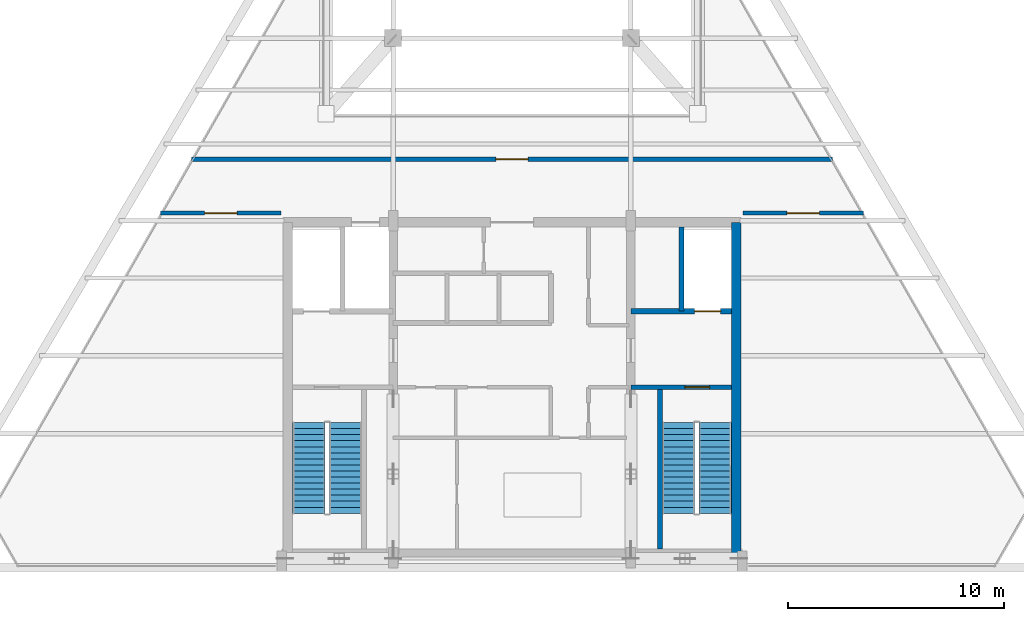
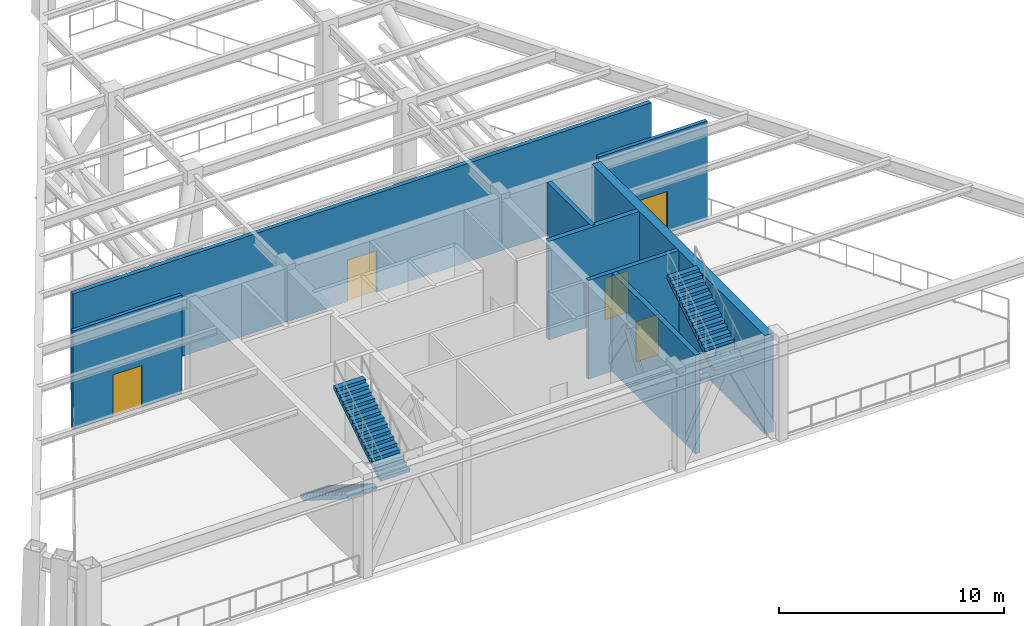
# One storey, part 4 of 6: 8 walls, 5 doors, 4 stair flights, 5 openings, 2 elements without a shape of their own.
"""IFC4 building model written with IfcOpenShell, lengths in metres."""

from ifc_helpers import new_model, si_unit, direction, frame, frame_2d, origin, place, context, subcontext, project, spatial, polyline, rectangle, outline, extrude, source, transform, mapped, material, layer, layer_set, type_object, type_shapes, element, fill, aggregate, save


model = new_model("IFC4")

# Units and contexts
model_context = context("Model", 3, precision=1e-05, world=origin(), true_north=direction((0.0, 1.0)))
body_context = subcontext(model_context, "Body", "Model", "MODEL_VIEW")
ifc_project = project(units=[si_unit("LENGTHUNIT", "METRE"), si_unit("AREAUNIT", "SQUARE_METRE"), si_unit("VOLUMEUNIT", "CUBIC_METRE"), si_unit("PLANEANGLEUNIT", "RADIAN"), si_unit("MASSUNIT", "GRAM", prefix="KILO")], contexts=[model_context])

# Site, building, storey
site_placement = place(None, origin())
site = spatial("IfcSite", under=ifc_project, at=site_placement, CompositionType="ELEMENT")
building_placement = place(site_placement, origin())
building = spatial("IfcBuilding", under=site, at=building_placement, Name="Varnakhor Terracotta Tower", CompositionType="ELEMENT")
storey_placement = place(building_placement, frame((0.0, 0.0, 304.050048828125)))
storey = spatial("IfcBuildingStorey", under=building, at=storey_placement, Name="L80", CompositionType="ELEMENT", Elevation=304.050048828125)

# Wall
ifc_material_1 = material(Name="Concrete C50/60", Category="concrete")
ifc_layer_1 = layer(ifc_material_1, 0.449951171875, Name="Concrete C50/60")
ifc_layer_set_1 = layer_set([ifc_layer_1], Name="Concrete C50/60")
wall_type_1 = type_object("IfcWallType", Name="WAL-CORE-450", PredefinedType="SHEAR", material=ifc_layer_set_1)
wall_1_placement = place(storey_placement, frame((10.375, 0.625, 0.0), z_axis=(0.0, 0.0, 1.0), x_axis=(0.0, 1.0, 0.0)))
element("IfcWall", 1, at=wall_1_placement, inside=storey, type_object=wall_type_1, Name="L80 East Core Shear Wall", PredefinedType="SHEAR", context=body_context, shape_type="SweptSolid", body=[
    extrude(rectangle(XDim=15.35009765625, YDim=0.449951171875, at=frame_2d((7.675048828125, 0.0))), origin(), (0.0, 0.0, 1.0), 5.349853515625),
])

# Wall, opening, door
ifc_material_2 = material(Name="Fire-Rated Gypsum Stud Partition", Category="gypsum")
ifc_layer_2 = layer(ifc_material_2, 0.18505859375, Name="Fire-Rated Gypsum Stud Partition")
ifc_layer_set_2 = layer_set([ifc_layer_2], Name="Fire-Rated Gypsum Stud Partition")
wall_type_2 = type_object("IfcWallType", Name="WAL-CORR-185", PredefinedType="PARTITIONING", material=ifc_layer_set_2)
wall_2_placement = place(storey_placement, frame((-16.26171875, 16.39990234375, 0.0), z_axis=(0.0, 0.0, 1.0), x_axis=(1.0, 0.0, 0.0)))
wall_2 = element("IfcWall", 2, at=wall_2_placement, inside=storey, type_object=wall_type_2, Name="L80 West Plant Wall", PredefinedType="PARTITIONING", context=body_context, shape_type="SweptSolid", body=[
    extrude(rectangle(XDim=5.581787109375, YDim=0.18505859375, at=frame_2d((2.791015625, 0.0))), origin(), (0.0, 0.0, 1.0), 5.342041015625),
])
opening_1_placement = place(wall_2_placement, frame((2.041015625, 0.0, 0.0)))
opening_1 = element("IfcOpeningElement", 3, at=opening_1_placement, cuts=wall_2, Name="Opening DR-30", PredefinedType="OPENING", context=body_context, shape_type="SweptSolid", body=[
    extrude(rectangle(XDim=1.5, YDim=2.25, at=frame_2d((0.75, 1.125))), frame((0.0, 0.1025390625, 0.0), z_axis=(0.0, -1.0, 0.0), x_axis=(1.0, 0.0, 0.0)), (0.0, 0.0, 1.0), 0.205078125),
])
ifc_material_3 = material(Name="Double Acoustic Conference Room Door", Category="wood")
door_type_1 = type_object("IfcDoorType", Name="DR-MEET-1500X2250", OperationType="NOTDEFINED", PredefinedType="DOOR", material=ifc_material_3)
shared_shape_1 = source(origin(), body_context, "Body", "SweptSolid", [
    extrude(rectangle(XDim=1.5, YDim=2.25, at=frame_2d((0.75, 1.125))), frame((0.0, 0.02490234375, 0.0), z_axis=(0.0, -1.0, 0.0), x_axis=(1.0, 0.0, 0.0)), (0.0, 0.0, 1.0), 0.050048828125),
])
type_shapes(door_type_1, [shared_shape_1])
door_1_placement = place(opening_1_placement, origin())
door_1 = element("IfcDoor", 4, at=door_1_placement, inside=storey, type_object=door_type_1, Name="L80 West Mechanical Room Door", OperationType="DOUBLE_DOOR_SINGLE_SWING", OverallHeight=2.25, OverallWidth=1.5, PredefinedType="DOOR", context=body_context, shape_type="MappedRepresentation", body=[
    mapped(shared_shape_1, transform((0.0, 0.0, 0.0), scale=1.0)),
])
fill(opening_1, door_1)

wall_3_placement = place(storey_placement, frame((10.679931640625, 16.39990234375, 0.0), z_axis=(0.0, 0.0, 1.0), x_axis=(1.0, 0.0, 0.0)))
wall_3 = element("IfcWall", 5, at=wall_3_placement, inside=storey, type_object=wall_type_2, Name="L80 East Plant Wall", PredefinedType="PARTITIONING", context=body_context, shape_type="SweptSolid", body=[
    extrude(rectangle(XDim=5.581787109375, YDim=0.18505859375, at=frame_2d((2.791015625, 0.0))), origin(), (0.0, 0.0, 1.0), 5.342041015625),
])
opening_2_placement = place(wall_3_placement, frame((2.040771484375, 0.0, 0.0)))
opening_2 = element("IfcOpeningElement", 6, at=opening_2_placement, cuts=wall_3, Name="Opening DR-30", PredefinedType="OPENING", context=body_context, shape_type="SweptSolid", body=[
    extrude(rectangle(XDim=1.5, YDim=2.25, at=frame_2d((0.75, 1.125))), frame((0.0, 0.1025390625, 0.0), z_axis=(0.0, -1.0, 0.0), x_axis=(1.0, 0.0, 0.0)), (0.0, 0.0, 1.0), 0.205078125),
])
door_2_placement = place(opening_2_placement, origin())
door_2 = element("IfcDoor", 7, at=door_2_placement, inside=storey, type_object=door_type_1, Name="L80 East Electrical Room Door", OperationType="DOUBLE_DOOR_SINGLE_SWING", OverallHeight=2.25, OverallWidth=1.5, PredefinedType="DOOR", context=body_context, shape_type="MappedRepresentation", body=[
    mapped(shared_shape_1, transform((0.0, 0.0, 0.0), scale=1.0)),
])
fill(opening_2, door_2)

ifc_material_4 = material(Name="Concrete C40/50", Category="concrete")
ifc_layer_3 = layer(ifc_material_4, 0.219970703125, Name="Concrete C40/50")
ifc_layer_set_3 = layer_set([ifc_layer_3], Name="Concrete C40/50")
wall_type_3 = type_object("IfcWallType", Name="WAL-FFLOBBY-220", PredefinedType="SOLIDWALL", material=ifc_layer_set_3)
wall_4_placement = place(storey_placement, frame((10.14990234375, 8.35009765625, 0.0), z_axis=(0.0, 0.0, 1.0), x_axis=(-1.0, 0.0, 0.0)))
wall_4 = element("IfcWall", 8, at=wall_4_placement, inside=storey, type_object=wall_type_3, Name="L80 East Firefighting Lobby Stair Wall", PredefinedType="SOLIDWALL", context=body_context, shape_type="SweptSolid", body=[
    extrude(rectangle(XDim=4.64990234375, YDim=0.219970703125, at=frame_2d((2.324951171875, 0.0))), origin(), (0.0, 0.0, 1.0), 5.349853515625),
])
opening_3_placement = place(wall_4_placement, frame((1.0, 0.0, 0.0)))
opening_3 = element("IfcOpeningElement", 9, at=opening_3_placement, cuts=wall_4, Name="Opening DR-34", PredefinedType="OPENING", context=body_context, shape_type="SweptSolid", body=[
    extrude(rectangle(XDim=1.14990234375, YDim=2.199951171875, at=frame_2d((0.574951171875, 1.10009765625))), frame((0.0, 0.1201171875, 0.0), z_axis=(0.0, -1.0, 0.0), x_axis=(1.0, 0.0, 0.0)), (0.0, 0.0, 1.0), 0.239990234375),
])
ifc_material_5 = material(Name="Self-Closing Smoke-Sealed Steel Fire Door", Category="steel")
door_type_2 = type_object("IfcDoorType", Name="DR-STAIR-1150X2200", OperationType="NOTDEFINED", PredefinedType="DOOR", material=ifc_material_5)
shared_shape_2 = source(origin(), body_context, "Body", "SweptSolid", [
    extrude(rectangle(XDim=1.14990234375, YDim=2.199951171875, at=frame_2d((0.574951171875, 1.10009765625))), frame((0.0, 0.02490234375, 0.0), z_axis=(0.0, -1.0, 0.0), x_axis=(1.0, 0.0, 0.0)), (0.0, 0.0, 1.0), 0.050048828125),
])
type_shapes(door_type_2, [shared_shape_2])
door_3_placement = place(opening_3_placement, origin())
door_3 = element("IfcDoor", 10, at=door_3_placement, inside=storey, type_object=door_type_2, Name="L80 Exit Stair ST-2 Fire Door", OperationType="SINGLE_SWING_LEFT", OverallHeight=2.199951171875, OverallWidth=1.14990234375, PredefinedType="DOOR", context=body_context, shape_type="MappedRepresentation", body=[
    mapped(shared_shape_2, transform((0.0, 0.0, 0.0), scale=1.0)),
])
fill(opening_3, door_3)

wall_5_placement = place(storey_placement, frame((-14.834716796875, 18.89990234375, 0.0), z_axis=(0.0, 0.0, 1.0), x_axis=(1.0, 0.0, 0.0)))
wall_5 = element("IfcWall", 11, at=wall_5_placement, inside=storey, type_object=wall_type_3, Name="L80 Plant Corridor Wall", PredefinedType="SOLIDWALL", context=body_context, shape_type="SweptSolid", body=[
    extrude(rectangle(XDim=29.66943359375, YDim=0.219970703125, at=frame_2d((14.834716796875, 0.0))), origin(), (0.0, 0.0, 1.0), 5.342041015625),
])
opening_4_placement = place(wall_5_placement, frame((14.084716796875, 0.0, 0.0)))
opening_4 = element("IfcOpeningElement", 12, at=opening_4_placement, cuts=wall_5, Name="Opening DR-30", PredefinedType="OPENING", context=body_context, shape_type="SweptSolid", body=[
    extrude(rectangle(XDim=1.5, YDim=2.25, at=frame_2d((0.75, 1.125))), frame((0.0, 0.1201171875, 0.0), z_axis=(0.0, -1.0, 0.0), x_axis=(1.0, 0.0, 0.0)), (0.0, 0.0, 1.0), 0.239990234375),
])
door_4_placement = place(opening_4_placement, origin())
door_4 = element("IfcDoor", 13, at=door_4_placement, inside=storey, type_object=door_type_1, Name="L80 North Plant Access Door", OperationType="DOUBLE_DOOR_SINGLE_SWING", OverallHeight=2.25, OverallWidth=1.5, PredefinedType="DOOR", context=body_context, shape_type="MappedRepresentation", body=[
    mapped(shared_shape_1, transform((0.0, 0.0, 0.0), scale=1.0)),
])
fill(opening_4, door_4)

# Walls
ifc_layer_4 = layer(ifc_material_4, 0.219970703125, Name="Concrete C40/50")
ifc_layer_set_4 = layer_set([ifc_layer_4], Name="Concrete C40/50")
wall_type_4 = type_object("IfcWallType", Name="WAL-SHAFT-220", PredefinedType="SOLIDWALL", material=ifc_layer_set_4)
wall_6_placement = place(storey_placement, frame((7.840087890625, 11.8701171875, 0.0), z_axis=(0.0, 0.0, 1.0), x_axis=(0.0, 1.0, 0.0)))
element("IfcWall", 14, at=wall_6_placement, inside=storey, type_object=wall_type_4, Name="L80 Lift FFL-2 and Riser Divider Wall", PredefinedType="SOLIDWALL", context=body_context, shape_type="SweptSolid", body=[
    extrude(rectangle(XDim=3.8798828125, YDim=0.219970703125, at=frame_2d((1.93994140625, 0.0))), origin(), (0.0, 0.0, 1.0), 5.349853515625),
])
ifc_layer_5 = layer(ifc_material_4, 0.25, Name="Concrete C40/50")
ifc_layer_set_5 = layer_set([ifc_layer_5], Name="Concrete C40/50")
wall_type_5 = type_object("IfcWallType", Name="WAL-SHAFT-250", PredefinedType="SOLIDWALL", material=ifc_layer_set_5)
wall_7_placement = place(storey_placement, frame((6.85009765625, 0.85009765625, 0.0), z_axis=(0.0, 0.0, 1.0), x_axis=(0.0, 1.0, 0.0)))
element("IfcWall", 15, at=wall_7_placement, inside=storey, type_object=wall_type_5, Name="L80 Stair ST-2 Bearing Shaft Wall", PredefinedType="SOLIDWALL", context=body_context, shape_type="SweptSolid", body=[
    extrude(rectangle(XDim=7.5, YDim=0.25, at=frame_2d((3.75, 0.0))), origin(), (0.0, 0.0, 1.0), 5.349853515625),
])

# Wall, opening, door
wall_8_placement = place(storey_placement, frame((10.14990234375, 11.8701171875, 0.0), z_axis=(0.0, 0.0, 1.0), x_axis=(-1.0, 0.0, 0.0)))
wall_8 = element("IfcWall", 16, at=wall_8_placement, inside=storey, type_object=wall_type_5, Name="L80 Lift FFL-2 Shaft Front Wall", PredefinedType="SOLIDWALL", context=body_context, shape_type="SweptSolid", body=[
    extrude(rectangle(XDim=4.64990234375, YDim=0.25, at=frame_2d((2.324951171875, 0.0))), origin(), (0.0, 0.0, 1.0), 5.349853515625),
])
opening_5_placement = place(wall_8_placement, frame((0.5, 0.0, 0.0)))
opening_5 = element("IfcOpeningElement", 17, at=opening_5_placement, cuts=wall_8, Name="Opening LD-02", PredefinedType="OPENING", context=body_context, shape_type="SweptSolid", body=[
    extrude(rectangle(XDim=1.199951171875, YDim=2.25, at=frame_2d((0.60009765625, 1.125))), frame((0.0, 0.135009765625, 0.0), z_axis=(0.0, -1.0, 0.0), x_axis=(1.0, 0.0, 0.0)), (0.0, 0.0, 1.0), 0.27001953125),
])
ifc_material_6 = material(Name="Firefighting Stretcher Sliding Lift Landing Door", Category="steel")
door_type_3 = type_object("IfcDoorType", Name="LD-FFL-1200X2250", OperationType="NOTDEFINED", PredefinedType="DOOR", material=ifc_material_6)
shared_shape_3 = source(origin(), body_context, "Body", "SweptSolid", [
    extrude(rectangle(XDim=1.199951171875, YDim=2.25, at=frame_2d((0.60009765625, 1.125))), frame((0.0, 0.02490234375, 0.0), z_axis=(0.0, -1.0, 0.0), x_axis=(1.0, 0.0, 0.0)), (0.0, 0.0, 1.0), 0.050048828125),
])
type_shapes(door_type_3, [shared_shape_3])
door_5_placement = place(opening_5_placement, origin())
door_5 = element("IfcDoor", 18, at=door_5_placement, inside=storey, type_object=door_type_3, Name="L80 Firefighting Lift FFL-2 Landing Door", OperationType="SLIDING_TO_RIGHT", OverallHeight=2.25, OverallWidth=1.199951171875, PredefinedType="DOOR", context=body_context, shape_type="MappedRepresentation", body=[
    mapped(shared_shape_3, transform((0.0, 0.0, 0.0), scale=1.0)),
])
fill(opening_5, door_5)

# Stair, stair flights
stair_type = type_object("IfcStairType", Name="STR-CORE-HOTEL-1500", PredefinedType="HALF_TURN_STAIR", material=ifc_material_4)
stair_1_placement = place(storey_placement, origin())
stair_1 = element("IfcStair", 19, at=stair_1_placement, inside=storey, type_object=stair_type, Name="L80 Core Exit Stair ST-1", PredefinedType="HALF_TURN_STAIR")
stair_flight_type = type_object("IfcStairFlightType", Name="FLT-HOTEL-1500", PredefinedType="STRAIGHT", material=ifc_material_4)
stair_flight_1_placement = place(storey_placement, frame((-9.39990234375, 6.7099609375, 0.0), z_axis=(0.0, 0.0, 1.0), x_axis=(0.0, -1.0, 0.0)))
stair_flight_1 = element("IfcStairFlight", 20, at=stair_flight_1_placement, type_object=stair_flight_type, Name="ST-1 flight 1", NumberOfRisers=16, NumberOfTreads=15, PredefinedType="STRAIGHT", RiserHeight=0.1765625, TreadLength=0.28, context=body_context, shape_type="SweptSolid", body=[
    extrude(outline(polyline([(0.0, 0.0), (0.0, 0.176513671875), (0.280029296875, 0.176513671875), (0.280029296875, 0.35302734375), (0.56005859375, 0.35302734375), (0.56005859375, 0.52978515625), (0.840087890625, 0.52978515625), (0.840087890625, 0.706298828125), (1.1201171875, 0.706298828125), (1.1201171875, 0.8828125), (1.39990234375, 0.8828125), (1.39990234375, 1.059326171875), (1.679931640625, 1.059326171875), (1.679931640625, 1.23583984375), (1.9599609375, 1.23583984375), (1.9599609375, 1.41259765625), (2.239990234375, 1.41259765625), (2.239990234375, 1.589111328125), (2.52001953125, 1.589111328125), (2.52001953125, 1.765625), (2.800048828125, 1.765625), (2.800048828125, 1.942138671875), (3.080078125, 1.942138671875), (3.080078125, 2.11865234375), (3.360107421875, 2.11865234375), (3.360107421875, 2.29541015625), (3.639892578125, 2.29541015625), (3.639892578125, 2.471923828125), (3.919921875, 2.471923828125), (3.919921875, 2.6484375), (4.199951171875, 2.6484375), (4.199951171875, 2.824951171875), (4.199951171875, 2.45947265625), (0.2998046875, 0.0), (0.0, 0.0)])), frame((0.0, 0.75, 0.0), z_axis=(0.0, -1.0, 0.0), x_axis=(1.0, 0.0, 0.0)), (0.0, 0.0, 1.0), 1.5),
])
stair_flight_2_placement = place(storey_placement, frame((-7.699951171875, 2.510009765625, 2.824951171875), z_axis=(0.0, 0.0, 1.0), x_axis=(0.0, 1.0, 0.0)))
stair_flight_2 = element("IfcStairFlight", 21, at=stair_flight_2_placement, type_object=stair_flight_type, Name="ST-1 flight 2", NumberOfRisers=16, NumberOfTreads=15, PredefinedType="STRAIGHT", RiserHeight=0.1765625, TreadLength=0.28, context=body_context, shape_type="SweptSolid", body=[
    extrude(outline(polyline([(0.0, 0.0), (0.0, 0.176513671875), (0.280029296875, 0.176513671875), (0.280029296875, 0.35302734375), (0.56005859375, 0.35302734375), (0.56005859375, 0.52978515625), (0.840087890625, 0.52978515625), (0.840087890625, 0.706298828125), (1.1201171875, 0.706298828125), (1.1201171875, 0.8828125), (1.39990234375, 0.8828125), (1.39990234375, 1.059326171875), (1.679931640625, 1.059326171875), (1.679931640625, 1.23583984375), (1.9599609375, 1.23583984375), (1.9599609375, 1.41259765625), (2.239990234375, 1.41259765625), (2.239990234375, 1.589111328125), (2.52001953125, 1.589111328125), (2.52001953125, 1.765625), (2.800048828125, 1.765625), (2.800048828125, 1.942138671875), (3.080078125, 1.942138671875), (3.080078125, 2.11865234375), (3.360107421875, 2.11865234375), (3.360107421875, 2.29541015625), (3.639892578125, 2.29541015625), (3.639892578125, 2.471923828125), (3.919921875, 2.471923828125), (3.919921875, 2.6484375), (4.199951171875, 2.6484375), (4.199951171875, 2.824951171875), (4.199951171875, 2.45947265625), (0.2998046875, 0.0), (0.0, 0.0)])), frame((0.0, 0.75, 0.0), z_axis=(0.0, -1.0, 0.0), x_axis=(1.0, 0.0, 0.0)), (0.0, 0.0, 1.0), 1.5),
])
aggregate(stair_1, [stair_flight_1, stair_flight_2])

stair_2_placement = place(storey_placement, origin())
stair_2 = element("IfcStair", 22, at=stair_2_placement, inside=storey, type_object=stair_type, Name="L80 Core Exit Stair ST-2", PredefinedType="HALF_TURN_STAIR")
stair_flight_3_placement = place(storey_placement, frame((7.699951171875, 6.7099609375, 0.0), z_axis=(0.0, 0.0, 1.0), x_axis=(0.0, -1.0, 0.0)))
stair_flight_3 = element("IfcStairFlight", 23, at=stair_flight_3_placement, type_object=stair_flight_type, Name="ST-2 flight 1", NumberOfRisers=16, NumberOfTreads=15, PredefinedType="STRAIGHT", RiserHeight=0.1765625, TreadLength=0.28, context=body_context, shape_type="SweptSolid", body=[
    extrude(outline(polyline([(0.0, 0.0), (0.0, 0.176513671875), (0.280029296875, 0.176513671875), (0.280029296875, 0.35302734375), (0.56005859375, 0.35302734375), (0.56005859375, 0.52978515625), (0.840087890625, 0.52978515625), (0.840087890625, 0.706298828125), (1.1201171875, 0.706298828125), (1.1201171875, 0.8828125), (1.39990234375, 0.8828125), (1.39990234375, 1.059326171875), (1.679931640625, 1.059326171875), (1.679931640625, 1.23583984375), (1.9599609375, 1.23583984375), (1.9599609375, 1.41259765625), (2.239990234375, 1.41259765625), (2.239990234375, 1.589111328125), (2.52001953125, 1.589111328125), (2.52001953125, 1.765625), (2.800048828125, 1.765625), (2.800048828125, 1.942138671875), (3.080078125, 1.942138671875), (3.080078125, 2.11865234375), (3.360107421875, 2.11865234375), (3.360107421875, 2.29541015625), (3.639892578125, 2.29541015625), (3.639892578125, 2.471923828125), (3.919921875, 2.471923828125), (3.919921875, 2.6484375), (4.199951171875, 2.6484375), (4.199951171875, 2.824951171875), (4.199951171875, 2.45947265625), (0.2998046875, 0.0), (0.0, 0.0)])), frame((0.0, 0.75, 0.0), z_axis=(0.0, -1.0, 0.0), x_axis=(1.0, 0.0, 0.0)), (0.0, 0.0, 1.0), 1.5),
])
stair_flight_4_placement = place(storey_placement, frame((9.39990234375, 2.510009765625, 2.824951171875), z_axis=(0.0, 0.0, 1.0), x_axis=(0.0, 1.0, 0.0)))
stair_flight_4 = element("IfcStairFlight", 24, at=stair_flight_4_placement, type_object=stair_flight_type, Name="ST-2 flight 2", NumberOfRisers=16, NumberOfTreads=15, PredefinedType="STRAIGHT", RiserHeight=0.1765625, TreadLength=0.28, context=body_context, shape_type="SweptSolid", body=[
    extrude(outline(polyline([(0.0, 0.0), (0.0, 0.176513671875), (0.280029296875, 0.176513671875), (0.280029296875, 0.35302734375), (0.56005859375, 0.35302734375), (0.56005859375, 0.52978515625), (0.840087890625, 0.52978515625), (0.840087890625, 0.706298828125), (1.1201171875, 0.706298828125), (1.1201171875, 0.8828125), (1.39990234375, 0.8828125), (1.39990234375, 1.059326171875), (1.679931640625, 1.059326171875), (1.679931640625, 1.23583984375), (1.9599609375, 1.23583984375), (1.9599609375, 1.41259765625), (2.239990234375, 1.41259765625), (2.239990234375, 1.589111328125), (2.52001953125, 1.589111328125), (2.52001953125, 1.765625), (2.800048828125, 1.765625), (2.800048828125, 1.942138671875), (3.080078125, 1.942138671875), (3.080078125, 2.11865234375), (3.360107421875, 2.11865234375), (3.360107421875, 2.29541015625), (3.639892578125, 2.29541015625), (3.639892578125, 2.471923828125), (3.919921875, 2.471923828125), (3.919921875, 2.6484375), (4.199951171875, 2.6484375), (4.199951171875, 2.824951171875), (4.199951171875, 2.45947265625), (0.2998046875, 0.0), (0.0, 0.0)])), frame((0.0, 0.75, 0.0), z_axis=(0.0, -1.0, 0.0), x_axis=(1.0, 0.0, 0.0)), (0.0, 0.0, 1.0), 1.5),
])
aggregate(stair_2, [stair_flight_3, stair_flight_4])

save(model, "model.ifc")
